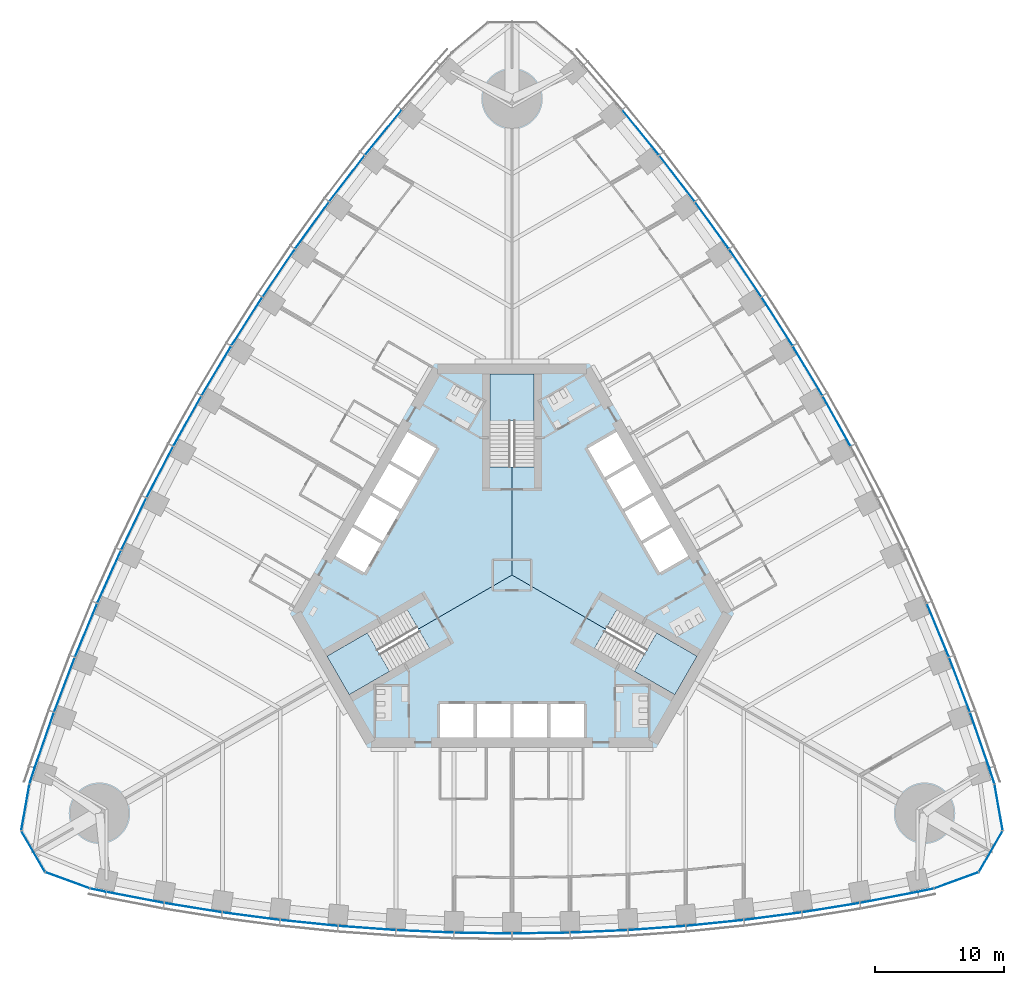
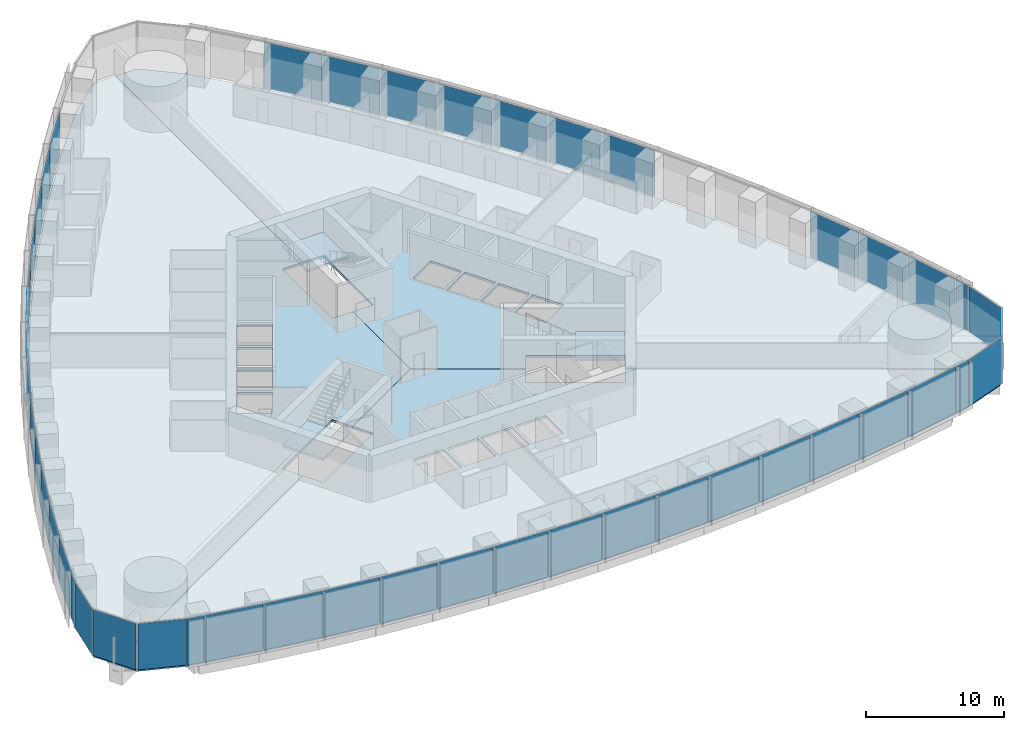
# One storey, part 8 of 18: 47 plates, 6 slabs, 8 elements without a shape of their own.
"""IFC4 building model written with IfcOpenShell, lengths in metres."""

from ifc_helpers import new_model, si_unit, direction, frame, origin, origin_2d, place, context, subcontext, project, spatial, polyline, rectangle, outline, extrude, material, layer, layer_set, type_object, element, aggregate, save


model = new_model("IFC4")

# Units and contexts
model_context = context("Model", 3, precision=1e-05, world=origin(), true_north=direction((0.0, 1.0)))
body_context = subcontext(model_context, "Body", "Model", "MODEL_VIEW")
ifc_project = project(units=[si_unit("LENGTHUNIT", "METRE"), si_unit("AREAUNIT", "SQUARE_METRE"), si_unit("VOLUMEUNIT", "CUBIC_METRE"), si_unit("PLANEANGLEUNIT", "RADIAN"), si_unit("MASSUNIT", "GRAM", prefix="KILO")], contexts=[model_context])

# Site, building, storey
site_placement = place(None, origin())
site = spatial("IfcSite", under=ifc_project, at=site_placement, CompositionType="ELEMENT")
building_placement = place(site_placement, origin())
building = spatial("IfcBuilding", under=site, at=building_placement, Name="Trefoil Bronze Tower", CompositionType="ELEMENT")
storey_placement = place(building_placement, frame((0.0, 0.0, 37.5)))
storey = spatial("IfcBuildingStorey", under=building, at=storey_placement, Name="L08", CompositionType="ELEMENT", Elevation=37.5)

# Curtain wall, plates
ifc_material_1 = material(Name="Tinted solar-control glass", Category="glass")
curtain_wall_type_1 = type_object("IfcCurtainWallType", Name="Bronze office curtain wall", PredefinedType="USERDEFINED", material=ifc_material_1)
curtain_wall_1_placement = place(storey_placement, origin())
curtain_wall_1 = element("IfcCurtainWall", 1, at=curtain_wall_1_placement, inside=storey, type_object=curtain_wall_type_1, Name="CW-A L08 F1", ObjectType="CURTAIN WALL", PredefinedType="USERDEFINED")
ifc_material_2 = material(Name="Tinted solar-control glass", Category="glass")
ifc_layer_1 = layer(ifc_material_2, 0.030029296875)
ifc_layer_set_1 = layer_set([ifc_layer_1], Name="Bronze office curtain wall glass panel")
plate_type_1 = type_object("IfcPlateType", Name="Bronze office curtain wall glass panel", PredefinedType="CURTAIN_PANEL", material=ifc_layer_set_1)
plate_1_placement = place(storey_placement, frame((-32.15185546875, -24.480224609375, 0.0), z_axis=(0.0, 0.0, 1.0), x_axis=(0.978302717041, -0.207180582657, 0.0)))
plate_1 = element("IfcPlate", 2, at=plate_1_placement, type_object=plate_type_1, Name="CW-A L08 F1 panel 1", PredefinedType="CURTAIN_PANEL", context=body_context, shape_type="SweptSolid", body=[
    extrude(rectangle(XDim=1.21044921875, YDim=0.030029296875, at=origin_2d()), origin(), (0.0, 0.0, 1.0), 4.080078125),
])
plate_2_placement = place(storey_placement, frame((-29.268798828125, -25.04638671875, 0.0), z_axis=(0.0, 0.0, 1.0), x_axis=(0.982049823817, -0.188621694249, 0.0)))
plate_2 = element("IfcPlate", 3, at=plate_2_placement, type_object=plate_type_1, Name="CW-A L08 F1 panel 2", PredefinedType="CURTAIN_PANEL", context=body_context, shape_type="SweptSolid", body=[
    extrude(rectangle(XDim=4.502197265625, YDim=0.030029296875, at=origin_2d()), origin(), (0.0, 0.0, 1.0), 4.080078125),
])
plate_3_placement = place(storey_placement, frame((-24.765869140625, -25.8427734375, 0.0), z_axis=(0.0, 0.0, 1.0), x_axis=(0.987181315145, -0.159602791421, 0.0)))
plate_3 = element("IfcPlate", 4, at=plate_3_placement, type_object=plate_type_1, Name="CW-A L08 F1 panel 3", PredefinedType="CURTAIN_PANEL", context=body_context, shape_type="SweptSolid", body=[
    extrude(rectangle(XDim=4.478515625, YDim=0.030029296875, at=origin_2d()), origin(), (0.0, 0.0, 1.0), 4.080078125),
])
plate_4_placement = place(storey_placement, frame((-20.262939453125, -26.50341796875, 0.0), z_axis=(0.0, 0.0, 1.0), x_axis=(0.991437251591, -0.130583981243, 0.0)))
plate_4 = element("IfcPlate", 5, at=plate_4_placement, type_object=plate_type_1, Name="CW-A L08 F1 panel 4", PredefinedType="CURTAIN_PANEL", context=body_context, shape_type="SweptSolid", body=[
    extrude(rectangle(XDim=4.458984375, YDim=0.030029296875, at=origin_2d()), origin(), (0.0, 0.0, 1.0), 4.080078125),
])
plate_5_placement = place(storey_placement, frame((-15.76025390625, -27.02978515625, 0.0), z_axis=(0.0, 0.0, 1.0), x_axis=(0.994828880293, -0.101565244717, 0.0)))
plate_5 = element("IfcPlate", 6, at=plate_5_placement, type_object=plate_type_1, Name="CW-A L08 F1 panel 5", PredefinedType="CURTAIN_PANEL", context=body_context, shape_type="SweptSolid", body=[
    extrude(rectangle(XDim=4.443359375, YDim=0.030029296875, at=origin_2d()), origin(), (0.0, 0.0, 1.0), 4.080078125),
])
plate_6_placement = place(storey_placement, frame((-11.25732421875, -27.42333984375, 0.0), z_axis=(0.0, 0.0, 1.0), x_axis=(0.99736502647, -0.072546564177, 0.0)))
plate_6 = element("IfcPlate", 7, at=plate_6_placement, type_object=plate_type_1, Name="CW-A L08 F1 panel 6", PredefinedType="CURTAIN_PANEL", context=body_context, shape_type="SweptSolid", body=[
    extrude(rectangle(XDim=4.431884765625, YDim=0.030029296875, at=origin_2d()), origin(), (0.0, 0.0, 1.0), 4.080078125),
])
plate_7_placement = place(storey_placement, frame((-6.75439453125, -27.685302734375, 0.0), z_axis=(0.0, 0.0, 1.0), x_axis=(0.999052210809, -0.043527922969, 0.0)))
plate_7 = element("IfcPlate", 8, at=plate_7_placement, type_object=plate_type_1, Name="CW-A L08 F1 panel 7", PredefinedType="CURTAIN_PANEL", context=body_context, shape_type="SweptSolid", body=[
    extrude(rectangle(XDim=4.42431640625, YDim=0.030029296875, at=origin_2d()), origin(), (0.0, 0.0, 1.0), 4.080078125),
])
plate_8_placement = place(storey_placement, frame((-2.25146484375, -27.816162109375, 0.0), z_axis=(0.0, 0.0, 1.0), x_axis=(0.999894734493, -0.014509305083, 0.0)))
plate_8 = element("IfcPlate", 9, at=plate_8_placement, type_object=plate_type_1, Name="CW-A L08 F1 panel 8", PredefinedType="CURTAIN_PANEL", context=body_context, shape_type="SweptSolid", body=[
    extrude(rectangle(XDim=4.42041015625, YDim=0.030029296875, at=origin_2d()), origin(), (0.0, 0.0, 1.0), 4.080078125),
])
plate_9_placement = place(storey_placement, frame((2.25146484375, -27.816162109375, 0.0), z_axis=(0.0, 0.0, 1.0), x_axis=(0.999894734493, 0.014509305083, 0.0)))
plate_9 = element("IfcPlate", 10, at=plate_9_placement, type_object=plate_type_1, Name="CW-A L08 F1 panel 9", PredefinedType="CURTAIN_PANEL", context=body_context, shape_type="SweptSolid", body=[
    extrude(rectangle(XDim=4.42041015625, YDim=0.030029296875, at=origin_2d()), origin(), (0.0, 0.0, 1.0), 4.080078125),
])
plate_10_placement = place(storey_placement, frame((6.75439453125, -27.685302734375, 0.0), z_axis=(0.0, 0.0, 1.0), x_axis=(0.999052210809, 0.043527922969, 0.0)))
plate_10 = element("IfcPlate", 11, at=plate_10_placement, type_object=plate_type_1, Name="CW-A L08 F1 panel 10", PredefinedType="CURTAIN_PANEL", context=body_context, shape_type="SweptSolid", body=[
    extrude(rectangle(XDim=4.42431640625, YDim=0.030029296875, at=origin_2d()), origin(), (0.0, 0.0, 1.0), 4.080078125),
])
plate_11_placement = place(storey_placement, frame((11.25732421875, -27.42333984375, 0.0), z_axis=(0.0, 0.0, 1.0), x_axis=(0.99736502647, 0.072546564177, 0.0)))
plate_11 = element("IfcPlate", 12, at=plate_11_placement, type_object=plate_type_1, Name="CW-A L08 F1 panel 11", PredefinedType="CURTAIN_PANEL", context=body_context, shape_type="SweptSolid", body=[
    extrude(rectangle(XDim=4.431884765625, YDim=0.030029296875, at=origin_2d()), origin(), (0.0, 0.0, 1.0), 4.080078125),
])
plate_12_placement = place(storey_placement, frame((15.76025390625, -27.02978515625, 0.0), z_axis=(0.0, 0.0, 1.0), x_axis=(0.994828880293, 0.101565244717, 0.0)))
plate_12 = element("IfcPlate", 13, at=plate_12_placement, type_object=plate_type_1, Name="CW-A L08 F1 panel 12", PredefinedType="CURTAIN_PANEL", context=body_context, shape_type="SweptSolid", body=[
    extrude(rectangle(XDim=4.443359375, YDim=0.030029296875, at=origin_2d()), origin(), (0.0, 0.0, 1.0), 4.080078125),
])
plate_13_placement = place(storey_placement, frame((20.262939453125, -26.50341796875, 0.0), z_axis=(0.0, 0.0, 1.0), x_axis=(0.991437251591, 0.130583981243, 0.0)))
plate_13 = element("IfcPlate", 14, at=plate_13_placement, type_object=plate_type_1, Name="CW-A L08 F1 panel 13", PredefinedType="CURTAIN_PANEL", context=body_context, shape_type="SweptSolid", body=[
    extrude(rectangle(XDim=4.458984375, YDim=0.030029296875, at=origin_2d()), origin(), (0.0, 0.0, 1.0), 4.080078125),
])
plate_14_placement = place(storey_placement, frame((24.765869140625, -25.8427734375, 0.0), z_axis=(0.0, 0.0, 1.0), x_axis=(0.987181315145, 0.159602791421, 0.0)))
plate_14 = element("IfcPlate", 15, at=plate_14_placement, type_object=plate_type_1, Name="CW-A L08 F1 panel 14", PredefinedType="CURTAIN_PANEL", context=body_context, shape_type="SweptSolid", body=[
    extrude(rectangle(XDim=4.478515625, YDim=0.030029296875, at=origin_2d()), origin(), (0.0, 0.0, 1.0), 4.080078125),
])
plate_15_placement = place(storey_placement, frame((29.268798828125, -25.04638671875, 0.0), z_axis=(0.0, 0.0, 1.0), x_axis=(0.982049823817, 0.188621694249, 0.0)))
plate_15 = element("IfcPlate", 16, at=plate_15_placement, type_object=plate_type_1, Name="CW-A L08 F1 panel 15", PredefinedType="CURTAIN_PANEL", context=body_context, shape_type="SweptSolid", body=[
    extrude(rectangle(XDim=4.502197265625, YDim=0.030029296875, at=origin_2d()), origin(), (0.0, 0.0, 1.0), 4.080078125),
])
plate_16_placement = place(storey_placement, frame((32.15185546875, -24.480224609375, 0.0), z_axis=(0.0, 0.0, 1.0), x_axis=(0.978302717041, 0.207180582657, 0.0)))
plate_16 = element("IfcPlate", 17, at=plate_16_placement, type_object=plate_type_1, Name="CW-A L08 F1 panel 16", PredefinedType="CURTAIN_PANEL", context=body_context, shape_type="SweptSolid", body=[
    extrude(rectangle(XDim=1.21044921875, YDim=0.030029296875, at=origin_2d()), origin(), (0.0, 0.0, 1.0), 4.080078125),
])
aggregate(curtain_wall_1, [plate_1, plate_2, plate_3, plate_4, plate_5, plate_6, plate_7, plate_8, plate_9, plate_10, plate_11, plate_12, plate_13, plate_14, plate_15, plate_16])

curtain_wall_2_placement = place(storey_placement, origin())
curtain_wall_2 = element("IfcCurtainWall", 18, at=curtain_wall_2_placement, inside=storey, type_object=curtain_wall_type_1, Name="CW-A L08 F2", ObjectType="CURTAIN WALL", PredefinedType="USERDEFINED")
plate_17_placement = place(storey_placement, frame((37.2763671875, -15.604248046875, 0.0), z_axis=(0.0, 0.0, 1.0), x_axis=(-0.309727710769, 0.950825296877, 0.0)))
plate_17 = element("IfcPlate", 19, at=plate_17_placement, type_object=plate_type_1, Name="CW-A L08 F2 panel 1", PredefinedType="CURTAIN_PANEL", context=body_context, shape_type="SweptSolid", body=[
    extrude(rectangle(XDim=1.21044921875, YDim=0.030029296875, at=origin_2d()), origin(), (0.0, 0.0, 1.0), 4.080078125),
])
plate_18_placement = place(storey_placement, frame((36.3251953125, -12.824462890625, 0.0), z_axis=(0.0, 0.0, 1.0), x_axis=(-0.327673732984, 0.944790942332, 0.0)))
plate_18 = element("IfcPlate", 20, at=plate_18_placement, type_object=plate_type_1, Name="CW-A L08 F2 panel 2", PredefinedType="CURTAIN_PANEL", context=body_context, shape_type="SweptSolid", body=[
    extrude(rectangle(XDim=4.502197265625, YDim=0.030029296875, at=origin_2d()), origin(), (0.0, 0.0, 1.0), 4.080078125),
])
plate_19_placement = place(storey_placement, frame((34.763427734375, -8.526611328125, 0.0), z_axis=(0.0, 0.0, 1.0), x_axis=(-0.355370585687, 0.934725492767, 0.0)))
plate_19 = element("IfcPlate", 21, at=plate_19_placement, type_object=plate_type_1, Name="CW-A L08 F2 panel 3", PredefinedType="CURTAIN_PANEL", context=body_context, shape_type="SweptSolid", body=[
    extrude(rectangle(XDim=4.478515625, YDim=0.030029296875, at=origin_2d()), origin(), (0.0, 0.0, 1.0), 4.080078125),
])
plate_20_placement = place(storey_placement, frame((33.084228515625, -4.296630859375, 0.0), z_axis=(0.0, 0.0, 1.0), x_axis=(-0.382629580712, 0.923901836758, 0.0)))
plate_20 = element("IfcPlate", 22, at=plate_20_placement, type_object=plate_type_1, Name="CW-A L08 F2 panel 4", PredefinedType="CURTAIN_PANEL", context=body_context, shape_type="SweptSolid", body=[
    extrude(rectangle(XDim=4.458984375, YDim=0.030029296875, at=origin_2d()), origin(), (0.0, 0.0, 1.0), 4.080078125),
])
plate_21_placement = place(storey_placement, frame((25.215087890625, 11.958251953125, 0.0), z_axis=(0.0, 0.0, 1.0), x_axis=(-0.487381940453, 0.873188893722, 0.0)))
plate_21 = element("IfcPlate", 23, at=plate_21_placement, type_object=plate_type_1, Name="CW-A L08 F2 panel 8", PredefinedType="CURTAIN_PANEL", context=body_context, shape_type="SweptSolid", body=[
    extrude(rectangle(XDim=4.42041015625, YDim=0.030029296875, at=origin_2d()), origin(), (0.0, 0.0, 1.0), 4.080078125),
])
plate_22_placement = place(storey_placement, frame((22.963623046875, 15.85791015625, 0.0), z_axis=(0.0, 0.0, 1.0), x_axis=(-0.51251279404, 0.858679588639, 0.0)))
plate_22 = element("IfcPlate", 24, at=plate_22_placement, type_object=plate_type_1, Name="CW-A L08 F2 panel 9", PredefinedType="CURTAIN_PANEL", context=body_context, shape_type="SweptSolid", body=[
    extrude(rectangle(XDim=4.42041015625, YDim=0.030029296875, at=origin_2d()), origin(), (0.0, 0.0, 1.0), 4.080078125),
])
plate_23_placement = place(storey_placement, frame((20.598876953125, 19.692138671875, 0.0), z_axis=(0.0, 0.0, 1.0), x_axis=(-0.537222392469, 0.843440632783, 0.0)))
plate_23 = element("IfcPlate", 25, at=plate_23_placement, type_object=plate_type_1, Name="CW-A L08 F2 panel 10", PredefinedType="CURTAIN_PANEL", context=body_context, shape_type="SweptSolid", body=[
    extrude(rectangle(XDim=4.42431640625, YDim=0.030029296875, at=origin_2d()), origin(), (0.0, 0.0, 1.0), 4.080078125),
])
plate_24_placement = place(storey_placement, frame((18.120849609375, 23.460693359375, 0.0), z_axis=(0.0, 0.0, 1.0), x_axis=(-0.56150968077, 0.827470167681, 0.0)))
plate_24 = element("IfcPlate", 26, at=plate_24_placement, type_object=plate_type_1, Name="CW-A L08 F2 panel 11", PredefinedType="CURTAIN_PANEL", context=body_context, shape_type="SweptSolid", body=[
    extrude(rectangle(XDim=4.431884765625, YDim=0.030029296875, at=origin_2d()), origin(), (0.0, 0.0, 1.0), 4.080078125),
])
plate_25_placement = place(storey_placement, frame((15.5283203125, 27.16357421875, 0.0), z_axis=(0.0, 0.0, 1.0), x_axis=(-0.585372522213, 0.810764460394, 0.0)))
plate_25 = element("IfcPlate", 27, at=plate_25_placement, type_object=plate_type_1, Name="CW-A L08 F2 panel 12", PredefinedType="CURTAIN_PANEL", context=body_context, shape_type="SweptSolid", body=[
    extrude(rectangle(XDim=4.443359375, YDim=0.030029296875, at=origin_2d()), origin(), (0.0, 0.0, 1.0), 4.080078125),
])
plate_26_placement = place(storey_placement, frame((12.821044921875, 30.800048828125, 0.0), z_axis=(0.0, 0.0, 1.0), x_axis=(-0.608807670879, 0.793317855515, 0.0)))
plate_26 = element("IfcPlate", 28, at=plate_26_placement, type_object=plate_type_1, Name="CW-A L08 F2 panel 13", PredefinedType="CURTAIN_PANEL", context=body_context, shape_type="SweptSolid", body=[
    extrude(rectangle(XDim=4.458984375, YDim=0.030029296875, at=origin_2d()), origin(), (0.0, 0.0, 1.0), 4.080078125),
])
plate_27_placement = place(storey_placement, frame((9.99755859375, 34.369384765625, 0.0), z_axis=(0.0, 0.0, 1.0), x_axis=(-0.631810729457, 0.775122701346, 0.0)))
plate_27 = element("IfcPlate", 29, at=plate_27_placement, type_object=plate_type_1, Name="CW-A L08 F2 panel 14", PredefinedType="CURTAIN_PANEL", context=body_context, shape_type="SweptSolid", body=[
    extrude(rectangle(XDim=4.478515625, YDim=0.030029296875, at=origin_2d()), origin(), (0.0, 0.0, 1.0), 4.080078125),
])
aggregate(curtain_wall_2, [plate_17, plate_18, plate_19, plate_20, plate_21, plate_22, plate_23, plate_24, plate_25, plate_26, plate_27])

curtain_wall_3_placement = place(storey_placement, origin())
curtain_wall_3 = element("IfcCurtainWall", 30, at=curtain_wall_3_placement, inside=storey, type_object=curtain_wall_type_1, Name="CW-A L08 F3", ObjectType="CURTAIN WALL", PredefinedType="USERDEFINED")
plate_28_placement = place(storey_placement, frame((-9.99755859375, 34.369384765625, 0.0), z_axis=(0.0, 0.0, 1.0), x_axis=(-0.631810729457, -0.775122701346, 0.0)))
plate_28 = element("IfcPlate", 31, at=plate_28_placement, type_object=plate_type_1, Name="CW-A L08 F3 panel 3", PredefinedType="CURTAIN_PANEL", context=body_context, shape_type="SweptSolid", body=[
    extrude(rectangle(XDim=4.478515625, YDim=0.030029296875, at=origin_2d()), origin(), (0.0, 0.0, 1.0), 4.080078125),
])
plate_29_placement = place(storey_placement, frame((-12.821044921875, 30.800048828125, 0.0), z_axis=(0.0, 0.0, 1.0), x_axis=(-0.608807670879, -0.793317855515, 0.0)))
plate_29 = element("IfcPlate", 32, at=plate_29_placement, type_object=plate_type_1, Name="CW-A L08 F3 panel 4", PredefinedType="CURTAIN_PANEL", context=body_context, shape_type="SweptSolid", body=[
    extrude(rectangle(XDim=4.458984375, YDim=0.030029296875, at=origin_2d()), origin(), (0.0, 0.0, 1.0), 4.080078125),
])
plate_30_placement = place(storey_placement, frame((-15.5283203125, 27.16357421875, 0.0), z_axis=(0.0, 0.0, 1.0), x_axis=(-0.585372522213, -0.810764460394, 0.0)))
plate_30 = element("IfcPlate", 33, at=plate_30_placement, type_object=plate_type_1, Name="CW-A L08 F3 panel 5", PredefinedType="CURTAIN_PANEL", context=body_context, shape_type="SweptSolid", body=[
    extrude(rectangle(XDim=4.443359375, YDim=0.030029296875, at=origin_2d()), origin(), (0.0, 0.0, 1.0), 4.080078125),
])
plate_31_placement = place(storey_placement, frame((-18.120849609375, 23.460693359375, 0.0), z_axis=(0.0, 0.0, 1.0), x_axis=(-0.56150968077, -0.827470167681, 0.0)))
plate_31 = element("IfcPlate", 34, at=plate_31_placement, type_object=plate_type_1, Name="CW-A L08 F3 panel 6", PredefinedType="CURTAIN_PANEL", context=body_context, shape_type="SweptSolid", body=[
    extrude(rectangle(XDim=4.431884765625, YDim=0.030029296875, at=origin_2d()), origin(), (0.0, 0.0, 1.0), 4.080078125),
])
plate_32_placement = place(storey_placement, frame((-20.598876953125, 19.692138671875, 0.0), z_axis=(0.0, 0.0, 1.0), x_axis=(-0.537222392469, -0.843440632783, 0.0)))
plate_32 = element("IfcPlate", 35, at=plate_32_placement, type_object=plate_type_1, Name="CW-A L08 F3 panel 7", PredefinedType="CURTAIN_PANEL", context=body_context, shape_type="SweptSolid", body=[
    extrude(rectangle(XDim=4.42431640625, YDim=0.030029296875, at=origin_2d()), origin(), (0.0, 0.0, 1.0), 4.080078125),
])
plate_33_placement = place(storey_placement, frame((-22.963623046875, 15.85791015625, 0.0), z_axis=(0.0, 0.0, 1.0), x_axis=(-0.51251279404, -0.858679588639, 0.0)))
plate_33 = element("IfcPlate", 36, at=plate_33_placement, type_object=plate_type_1, Name="CW-A L08 F3 panel 8", PredefinedType="CURTAIN_PANEL", context=body_context, shape_type="SweptSolid", body=[
    extrude(rectangle(XDim=4.42041015625, YDim=0.030029296875, at=origin_2d()), origin(), (0.0, 0.0, 1.0), 4.080078125),
])
plate_34_placement = place(storey_placement, frame((-25.215087890625, 11.958251953125, 0.0), z_axis=(0.0, 0.0, 1.0), x_axis=(-0.487381940453, -0.873188893722, 0.0)))
plate_34 = element("IfcPlate", 37, at=plate_34_placement, type_object=plate_type_1, Name="CW-A L08 F3 panel 9", PredefinedType="CURTAIN_PANEL", context=body_context, shape_type="SweptSolid", body=[
    extrude(rectangle(XDim=4.42041015625, YDim=0.030029296875, at=origin_2d()), origin(), (0.0, 0.0, 1.0), 4.080078125),
])
plate_35_placement = place(storey_placement, frame((-27.353271484375, 7.9931640625, 0.0), z_axis=(0.0, 0.0, 1.0), x_axis=(-0.46182981834, -0.886968555752, 0.0)))
plate_35 = element("IfcPlate", 38, at=plate_35_placement, type_object=plate_type_1, Name="CW-A L08 F3 panel 10", PredefinedType="CURTAIN_PANEL", context=body_context, shape_type="SweptSolid", body=[
    extrude(rectangle(XDim=4.42431640625, YDim=0.030029296875, at=origin_2d()), origin(), (0.0, 0.0, 1.0), 4.080078125),
])
plate_36_placement = place(storey_placement, frame((-29.3779296875, 3.962646484375, 0.0), z_axis=(0.0, 0.0, 1.0), x_axis=(-0.4358553457, -0.900016731858, 0.0)))
plate_36 = element("IfcPlate", 39, at=plate_36_placement, type_object=plate_type_1, Name="CW-A L08 F3 panel 11", PredefinedType="CURTAIN_PANEL", context=body_context, shape_type="SweptSolid", body=[
    extrude(rectangle(XDim=4.431884765625, YDim=0.030029296875, at=origin_2d()), origin(), (0.0, 0.0, 1.0), 4.080078125),
])
plate_37_placement = place(storey_placement, frame((-31.28857421875, -0.1337890625, 0.0), z_axis=(0.0, 0.0, 1.0), x_axis=(-0.40945635808, -0.912329705111, 0.0)))
plate_37 = element("IfcPlate", 40, at=plate_37_placement, type_object=plate_type_1, Name="CW-A L08 F3 panel 12", PredefinedType="CURTAIN_PANEL", context=body_context, shape_type="SweptSolid", body=[
    extrude(rectangle(XDim=4.443359375, YDim=0.030029296875, at=origin_2d()), origin(), (0.0, 0.0, 1.0), 4.080078125),
])
plate_38_placement = place(storey_placement, frame((-33.084228515625, -4.296630859375, 0.0), z_axis=(0.0, 0.0, 1.0), x_axis=(-0.382629580712, -0.923901836758, 0.0)))
plate_38 = element("IfcPlate", 41, at=plate_38_placement, type_object=plate_type_1, Name="CW-A L08 F3 panel 13", PredefinedType="CURTAIN_PANEL", context=body_context, shape_type="SweptSolid", body=[
    extrude(rectangle(XDim=4.458984375, YDim=0.030029296875, at=origin_2d()), origin(), (0.0, 0.0, 1.0), 4.080078125),
])
plate_39_placement = place(storey_placement, frame((-34.763427734375, -8.526611328125, 0.0), z_axis=(0.0, 0.0, 1.0), x_axis=(-0.355370585687, -0.934725492767, 0.0)))
plate_39 = element("IfcPlate", 42, at=plate_39_placement, type_object=plate_type_1, Name="CW-A L08 F3 panel 14", PredefinedType="CURTAIN_PANEL", context=body_context, shape_type="SweptSolid", body=[
    extrude(rectangle(XDim=4.478515625, YDim=0.030029296875, at=origin_2d()), origin(), (0.0, 0.0, 1.0), 4.080078125),
])
plate_40_placement = place(storey_placement, frame((-36.3251953125, -12.824462890625, 0.0), z_axis=(0.0, 0.0, 1.0), x_axis=(-0.327673732984, -0.944790942332, 0.0)))
plate_40 = element("IfcPlate", 43, at=plate_40_placement, type_object=plate_type_1, Name="CW-A L08 F3 panel 15", PredefinedType="CURTAIN_PANEL", context=body_context, shape_type="SweptSolid", body=[
    extrude(rectangle(XDim=4.502197265625, YDim=0.030029296875, at=origin_2d()), origin(), (0.0, 0.0, 1.0), 4.080078125),
])
plate_41_placement = place(storey_placement, frame((-37.2763671875, -15.604248046875, 0.0), z_axis=(0.0, 0.0, 1.0), x_axis=(-0.309727710769, -0.950825296877, 0.0)))
plate_41 = element("IfcPlate", 44, at=plate_41_placement, type_object=plate_type_1, Name="CW-A L08 F3 panel 16", PredefinedType="CURTAIN_PANEL", context=body_context, shape_type="SweptSolid", body=[
    extrude(rectangle(XDim=1.21044921875, YDim=0.030029296875, at=origin_2d()), origin(), (0.0, 0.0, 1.0), 4.080078125),
])
aggregate(curtain_wall_3, [plate_28, plate_29, plate_30, plate_31, plate_32, plate_33, plate_34, plate_35, plate_36, plate_37, plate_38, plate_39, plate_40, plate_41])

ifc_material_3 = material(Name="Tinted solar-control glass", Category="glass")
curtain_wall_type_2 = type_object("IfcCurtainWallType", Name="Bronze rounded corner curtain wall", PredefinedType="USERDEFINED", material=ifc_material_3)
curtain_wall_4_placement = place(storey_placement, origin())
curtain_wall_4 = element("IfcCurtainWall", 45, at=curtain_wall_4_placement, inside=storey, type_object=curtain_wall_type_2, Name="CW-B L08 K1", ObjectType="CURTAIN WALL", PredefinedType="USERDEFINED")
ifc_material_4 = material(Name="Tinted solar-control glass", Category="glass")
ifc_layer_2 = layer(ifc_material_4, 0.030029296875)
ifc_layer_set_2 = layer_set([ifc_layer_2], Name="Bronze rounded corner curtain wall glass panel")
plate_type_2 = type_object("IfcPlateType", Name="Bronze rounded corner curtain wall glass panel", PredefinedType="CURTAIN_PANEL", material=ifc_layer_set_2)
plate_42_placement = place(storey_placement, frame((34.5107421875, -23.71875, 0.0), z_axis=(0.0, 0.0, 1.0), x_axis=(0.939692620786, 0.342020143326, 0.0)))
plate_42 = element("IfcPlate", 46, at=plate_42_placement, type_object=plate_type_2, Name="CW-B L08 K1 panel 1", PredefinedType="CURTAIN_PANEL", context=body_context, shape_type="SweptSolid", body=[
    extrude(rectangle(XDim=3.588134765625, YDim=0.030029296875, at=origin_2d()), origin(), (0.0, 0.0, 1.0), 4.080078125),
])
plate_43_placement = place(storey_placement, frame((37.189208984375, -21.47119140625, 0.0), z_axis=(0.0, 0.0, 1.0), x_axis=(0.5, 0.866025403784, 0.0)))
plate_43 = element("IfcPlate", 47, at=plate_43_placement, type_object=plate_type_2, Name="CW-B L08 K1 panel 2", PredefinedType="CURTAIN_PANEL", context=body_context, shape_type="SweptSolid", body=[
    extrude(rectangle(XDim=3.588134765625, YDim=0.030029296875, at=origin_2d()), origin(), (0.0, 0.0, 1.0), 4.080078125),
])
plate_44_placement = place(storey_placement, frame((37.79638671875, -18.02783203125, 0.0), z_axis=(0.0, 0.0, 1.0), x_axis=(-0.173648177667, 0.984807753012, 0.0)))
plate_44 = element("IfcPlate", 48, at=plate_44_placement, type_object=plate_type_2, Name="CW-B L08 K1 panel 3", PredefinedType="CURTAIN_PANEL", context=body_context, shape_type="SweptSolid", body=[
    extrude(rectangle(XDim=3.588134765625, YDim=0.030029296875, at=origin_2d()), origin(), (0.0, 0.0, 1.0), 4.080078125),
])
aggregate(curtain_wall_4, [plate_42, plate_43, plate_44])

curtain_wall_5_placement = place(storey_placement, origin())
curtain_wall_5 = element("IfcCurtainWall", 49, at=curtain_wall_5_placement, inside=storey, type_object=curtain_wall_type_2, Name="CW-B L08 K3", ObjectType="CURTAIN WALL", PredefinedType="USERDEFINED")
plate_45_placement = place(storey_placement, frame((-37.79638671875, -18.02783203125, 0.0), z_axis=(0.0, 0.0, 1.0), x_axis=(-0.173648177667, -0.984807753012, 0.0)))
plate_45 = element("IfcPlate", 50, at=plate_45_placement, type_object=plate_type_2, Name="CW-B L08 K3 panel 1", PredefinedType="CURTAIN_PANEL", context=body_context, shape_type="SweptSolid", body=[
    extrude(rectangle(XDim=3.588134765625, YDim=0.030029296875, at=origin_2d()), origin(), (0.0, 0.0, 1.0), 4.080078125),
])
plate_46_placement = place(storey_placement, frame((-37.189208984375, -21.47119140625, 0.0), z_axis=(0.0, 0.0, 1.0), x_axis=(0.5, -0.866025403784, 0.0)))
plate_46 = element("IfcPlate", 51, at=plate_46_placement, type_object=plate_type_2, Name="CW-B L08 K3 panel 2", PredefinedType="CURTAIN_PANEL", context=body_context, shape_type="SweptSolid", body=[
    extrude(rectangle(XDim=3.588134765625, YDim=0.030029296875, at=origin_2d()), origin(), (0.0, 0.0, 1.0), 4.080078125),
])
plate_47_placement = place(storey_placement, frame((-34.5107421875, -23.71875, 0.0), z_axis=(0.0, 0.0, 1.0), x_axis=(0.939692620786, -0.342020143326, 0.0)))
plate_47 = element("IfcPlate", 52, at=plate_47_placement, type_object=plate_type_2, Name="CW-B L08 K3 panel 3", PredefinedType="CURTAIN_PANEL", context=body_context, shape_type="SweptSolid", body=[
    extrude(rectangle(XDim=3.588134765625, YDim=0.030029296875, at=origin_2d()), origin(), (0.0, 0.0, 1.0), 4.080078125),
])
aggregate(curtain_wall_5, [plate_45, plate_46, plate_47])

# Slabs
ifc_material_5 = material(Name="Concrete B30", Category="concrete")
ifc_layer_3 = layer(ifc_material_5, 0.199951171875)
ifc_layer_set_3 = layer_set([ifc_layer_3], Name="Floor slab 200")
slab_type_1 = type_object("IfcSlabType", Name="Floor slab 200", PredefinedType="FLOOR", material=ifc_layer_set_3)
slab_1_placement = place(storey_placement, frame((0.0, 0.0, -0.199951171875)))
element("IfcSlab", 53, at=slab_1_placement, inside=storey, type_object=slab_type_1, Name="Floor slab L08 face 1", PredefinedType="FLOOR", context=body_context, shape_type="SweptSolid", body=[
    extrude(outline(polyline([(27.0, -25.38037109375), (22.5, -26.10791015625), (18.0, -26.70068359375), (13.5, -27.159912109375), (9.0, -27.4873046875), (4.5, -27.683349609375), (0.0, -27.748779296875), (-4.5, -27.683349609375), (-9.0, -27.4873046875), (-13.5, -27.159912109375), (-18.0, -26.70068359375), (-22.5, -26.10791015625), (-27.0, -25.38037109375), (-31.5, -24.51611328125), (-32.762451171875, -24.248779296875), (-36.190673828125, -23.0009765625), (-37.1025390625, -21.421142578125), (-13.510009765625, -7.800048828125), (-12.6474609375, -9.2939453125), (-6.412109375, -5.69384765625), (-7.274658203125, -4.199951171875), (0.0, 0.0), (7.274658203125, -4.199951171875), (6.412109375, -5.69384765625), (12.6474609375, -9.2939453125), (13.510009765625, -7.800048828125), (37.1025390625, -21.421142578125), (36.190673828125, -23.0009765625), (32.762451171875, -24.248779296875), (31.5, -24.51611328125), (27.0, -25.38037109375)]), holes=[polyline([(-5.574951171875, -10.02490234375), (-2.97509765625, -10.02490234375), (-2.97509765625, -12.60009765625), (-5.574951171875, -12.60009765625), (-5.574951171875, -10.02490234375)]), polyline([(-2.72509765625, -10.02490234375), (-0.125, -10.02490234375), (-0.125, -12.60009765625), (-2.72509765625, -12.60009765625), (-2.72509765625, -10.02490234375)]), polyline([(0.125, -10.02490234375), (2.72509765625, -10.02490234375), (2.72509765625, -12.60009765625), (0.125, -12.60009765625), (0.125, -10.02490234375)]), polyline([(2.97509765625, -10.02490234375), (5.574951171875, -10.02490234375), (5.574951171875, -12.60009765625), (2.97509765625, -12.60009765625), (2.97509765625, -10.02490234375)])]), origin(), (0.0, 0.0, 1.0), 0.199951171875),
])
slab_2_placement = place(storey_placement, frame((0.0, 0.0, -0.199951171875)))
element("IfcSlab", 54, at=slab_2_placement, inside=storey, type_object=slab_type_1, Name="Floor slab L08 face 2", PredefinedType="FLOOR", context=body_context, shape_type="SweptSolid", body=[
    extrude(outline(polyline([(8.47998046875, 36.07275390625), (11.360107421875, 32.53955078125), (14.123291015625, 28.938720703125), (16.771240234375, 25.271240234375), (19.3046875, 21.537841796875), (21.724609375, 17.73876953125), (24.031005859375, 13.874267578125), (26.224609375, 9.944580078125), (28.3046875, 5.949462890625), (30.271240234375, 1.888671875), (32.123291015625, -2.238037109375), (33.860107421875, -6.431640625), (35.47998046875, -10.6923828125), (36.9814453125, -15.021728515625), (37.381103515625, -16.248779296875), (38.0146484375, -19.841552734375), (37.1025390625, -21.421142578125), (13.510009765625, -7.800048828125), (14.37255859375, -6.30615234375), (8.13720703125, -2.7060546875), (7.274658203125, -4.199951171875), (0.0, 0.0), (0.0, 8.39990234375), (1.72509765625, 8.39990234375), (1.72509765625, 15.60009765625), (0.0, 15.60009765625), (0.0, 42.842529296875), (1.82421875, 42.842529296875), (4.618896484375, 40.497314453125), (5.4814453125, 39.537841796875), (8.47998046875, 36.07275390625)]), holes=[polyline([(11.469482421875, 0.184326171875), (10.16943359375, 2.43603515625), (12.3994140625, 3.7236328125), (13.699462890625, 1.471923828125), (11.469482421875, 0.184326171875)]), polyline([(10.04443359375, 2.652587890625), (8.744384765625, 4.904296875), (10.974365234375, 6.191650390625), (12.2744140625, 3.940185546875), (10.04443359375, 2.652587890625)]), polyline([(8.619384765625, 5.120849609375), (7.3193359375, 7.372314453125), (9.54931640625, 8.659912109375), (10.849365234375, 6.408203125), (8.619384765625, 5.120849609375)]), polyline([(7.1943359375, 7.5888671875), (5.894287109375, 9.840576171875), (8.12451171875, 11.128173828125), (9.42431640625, 8.87646484375), (7.1943359375, 7.5888671875)])]), origin(), (0.0, 0.0, 1.0), 0.199951171875),
])
slab_3_placement = place(storey_placement, frame((0.0, 0.0, -0.199951171875)))
element("IfcSlab", 55, at=slab_3_placement, inside=storey, type_object=slab_type_1, Name="Floor slab L08 face 3", PredefinedType="FLOOR", context=body_context, shape_type="SweptSolid", body=[
    extrude(outline(polyline([(-35.47998046875, -10.6923828125), (-33.860107421875, -6.431640625), (-32.123291015625, -2.238037109375), (-30.271240234375, 1.888671875), (-28.3046875, 5.949462890625), (-26.224609375, 9.944580078125), (-24.031005859375, 13.874267578125), (-21.724609375, 17.73876953125), (-19.3046875, 21.537841796875), (-16.771240234375, 25.271240234375), (-14.123291015625, 28.938720703125), (-11.360107421875, 32.53955078125), (-8.47998046875, 36.07275390625), (-5.4814453125, 39.537841796875), (-4.618896484375, 40.497314453125), (-1.82421875, 42.842529296875), (0.0, 42.842529296875), (0.0, 15.60009765625), (-1.72509765625, 15.60009765625), (-1.72509765625, 8.39990234375), (0.0, 8.39990234375), (0.0, 0.0), (-7.274658203125, -4.199951171875), (-8.13720703125, -2.7060546875), (-14.37255859375, -6.30615234375), (-13.510009765625, -7.800048828125), (-37.1025390625, -21.421142578125), (-38.0146484375, -19.841552734375), (-37.381103515625, -16.248779296875), (-36.9814453125, -15.021728515625), (-35.47998046875, -10.6923828125)]), holes=[polyline([(-5.894287109375, 9.840576171875), (-7.1943359375, 7.5888671875), (-9.42431640625, 8.87646484375), (-8.12451171875, 11.128173828125), (-5.894287109375, 9.840576171875)]), polyline([(-7.3193359375, 7.372314453125), (-8.619384765625, 5.120849609375), (-10.849365234375, 6.408203125), (-9.54931640625, 8.659912109375), (-7.3193359375, 7.372314453125)]), polyline([(-8.744384765625, 4.904296875), (-10.04443359375, 2.652587890625), (-12.2744140625, 3.940185546875), (-10.974365234375, 6.191650390625), (-8.744384765625, 4.904296875)]), polyline([(-10.16943359375, 2.43603515625), (-11.469482421875, 0.184326171875), (-13.699462890625, 1.471923828125), (-12.3994140625, 3.7236328125), (-10.16943359375, 2.43603515625)])]), origin(), (0.0, 0.0, 1.0), 0.199951171875),
])

# Stair, slab
ifc_material_6 = material(Name="Precast concrete B80", Category="concrete")
stair_type = type_object("IfcStairType", Name="Exit stair 26 risers", PredefinedType="HALF_TURN_STAIR", material=ifc_material_6)
stair_1_placement = place(storey_placement, origin())
stair_1 = element("IfcStair", 56, at=stair_1_placement, inside=storey, type_object=stair_type, Name="Stair ST1 L08", PredefinedType="HALF_TURN_STAIR")
ifc_material_7 = material(Name="Concrete B30", Category="concrete")
ifc_layer_4 = layer(ifc_material_7, 0.199951171875)
ifc_layer_set_4 = layer_set([ifc_layer_4], Name="Stair landing 200")
slab_type_2 = type_object("IfcSlabType", Name="Stair landing 200", PredefinedType="LANDING", material=ifc_layer_set_4)
slab_4_placement = place(storey_placement, frame((0.0, 0.0, 1.89990234375)))
slab_4 = element("IfcSlab", 57, at=slab_4_placement, type_object=slab_type_2, Name="ST1 landing 1", PredefinedType="LANDING", context=body_context, shape_type="SweptSolid", body=[
    extrude(outline(polyline([(9.512451171875, -7.48388671875), (12.6474609375, -9.2939453125), (14.37255859375, -6.30615234375), (11.237548828125, -4.49609375), (9.512451171875, -7.48388671875)])), origin(), (0.0, 0.0, 1.0), 0.2001953125),
])
aggregate(stair_1, [slab_4])

stair_2_placement = place(storey_placement, origin())
stair_2 = element("IfcStair", 58, at=stair_2_placement, inside=storey, type_object=stair_type, Name="Stair ST2 L08", PredefinedType="HALF_TURN_STAIR")
slab_5_placement = place(storey_placement, frame((0.0, 0.0, 1.89990234375)))
slab_5 = element("IfcSlab", 59, at=slab_5_placement, type_object=slab_type_2, Name="ST2 landing 1", PredefinedType="LANDING", context=body_context, shape_type="SweptSolid", body=[
    extrude(outline(polyline([(1.72509765625, 11.97998046875), (1.72509765625, 15.60009765625), (-1.72509765625, 15.60009765625), (-1.72509765625, 11.97998046875), (1.72509765625, 11.97998046875)])), origin(), (0.0, 0.0, 1.0), 0.2001953125),
])
aggregate(stair_2, [slab_5])

stair_3_placement = place(storey_placement, origin())
stair_3 = element("IfcStair", 60, at=stair_3_placement, inside=storey, type_object=stair_type, Name="Stair ST3 L08", PredefinedType="HALF_TURN_STAIR")
slab_6_placement = place(storey_placement, frame((0.0, 0.0, 1.89990234375)))
slab_6 = element("IfcSlab", 61, at=slab_6_placement, type_object=slab_type_2, Name="ST3 landing 1", PredefinedType="LANDING", context=body_context, shape_type="SweptSolid", body=[
    extrude(outline(polyline([(-11.237548828125, -4.49609375), (-14.37255859375, -6.30615234375), (-12.6474609375, -9.2939453125), (-9.512451171875, -7.48388671875), (-11.237548828125, -4.49609375)])), origin(), (0.0, 0.0, 1.0), 0.2001953125),
])
aggregate(stair_3, [slab_6])

save(model, "model.ifc")
